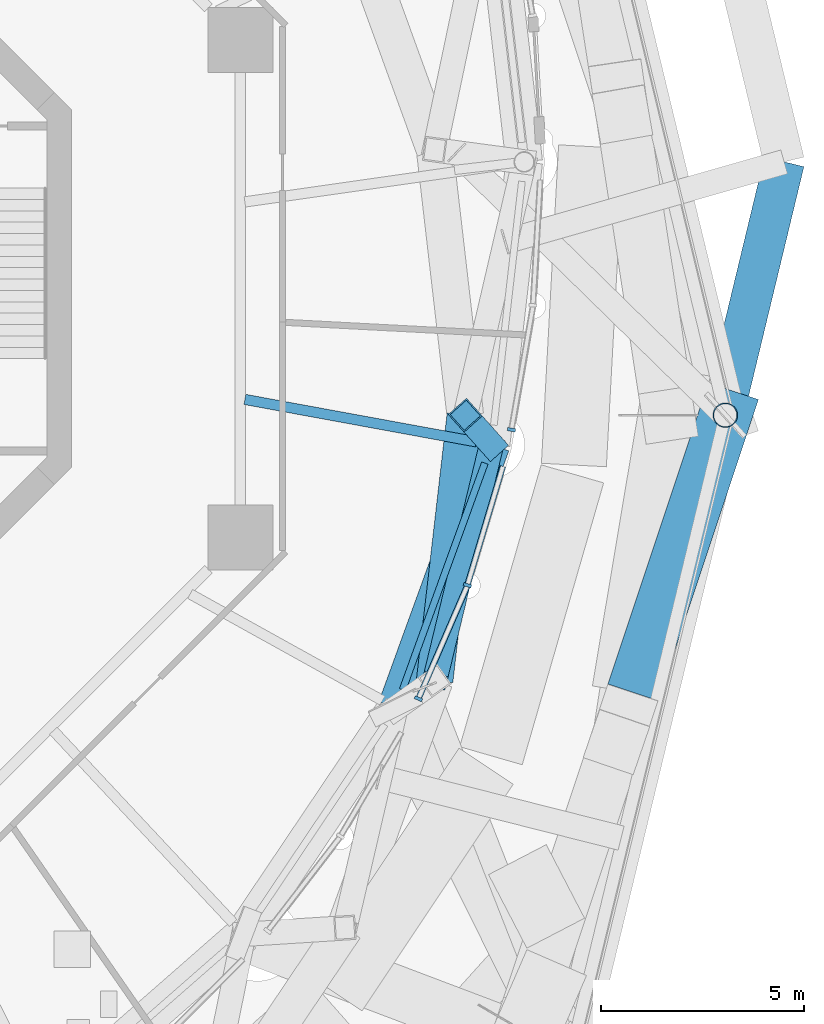
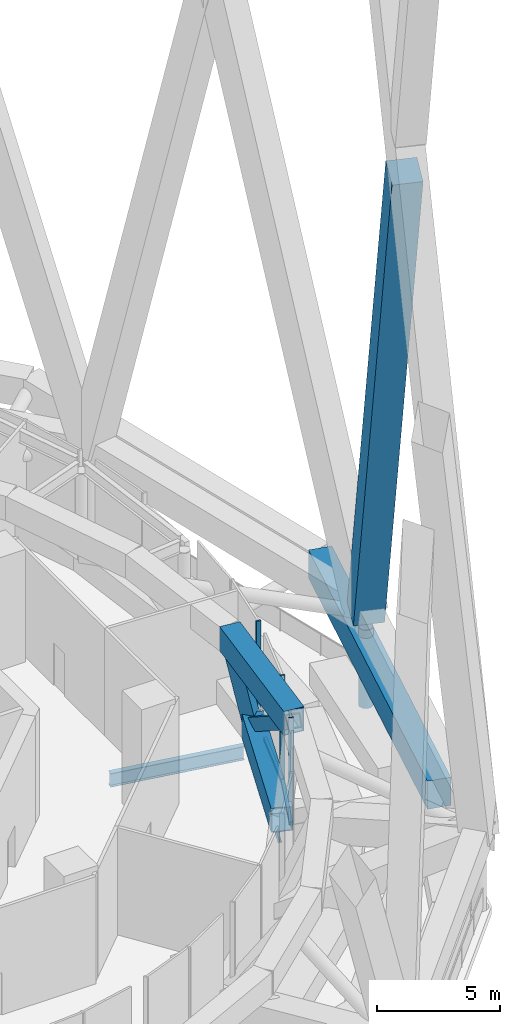
# One storey, part 13 of 48: 8 members, 6 beams, 3 elements without a shape of their own.
"""IFC4 building model written with IfcOpenShell, lengths in metres."""

from ifc_helpers import new_model, si_unit, direction, frame, origin, origin_2d, place, context, subcontext, project, spatial, rectangle, hollow_rectangle, hollow_circle, i_section, extrude, material, layer, layer_set, material_profile, profile_set, type_object, element, aggregate, save


model = new_model("IFC4")

# Units and contexts
model_context = context("Model", 3, precision=1e-05, world=origin(), true_north=direction((0.0, 1.0)))
body_context = subcontext(model_context, "Body", "Model", "MODEL_VIEW")
ifc_project = project(units=[si_unit("LENGTHUNIT", "METRE"), si_unit("AREAUNIT", "SQUARE_METRE"), si_unit("VOLUMEUNIT", "CUBIC_METRE"), si_unit("PLANEANGLEUNIT", "RADIAN"), si_unit("MASSUNIT", "GRAM", prefix="KILO")], contexts=[model_context])

# Site, building, storey
site_placement = place(None, origin())
site = spatial("IfcSite", under=ifc_project, at=site_placement, CompositionType="ELEMENT")
building_placement = place(site_placement, origin())
building = spatial("IfcBuilding", under=site, at=building_placement, Name="Nagisa Residences", CompositionType="ELEMENT")
storey_placement = place(building_placement, frame((0.0, 0.0, 252.89990234375)))
storey = spatial("IfcBuildingStorey", under=building, at=storey_placement, Name="L64", CompositionType="ELEMENT", Elevation=252.89990234375)

# Beams
ifc_material_1 = material(Name="Steel ASTM A572 Gr 50", Category="steel")
ifc_material_profile_1 = material_profile(ifc_material_1, hollow_rectangle(XDim=0.89990234375, YDim=1.199951171875, WallThickness=0.0400390625, at=origin_2d()), Name="BX 900x1200x40")
ifc_profile_set_1 = profile_set([ifc_material_profile_1], Name="Steel ASTM A572 Gr 50")
beam_type_1 = type_object("IfcBeamType", Name="Belt chord 5 BX 900x1200x40", PredefinedType="BEAM", material=ifc_profile_set_1)
beam_1_placement = place(storey_placement, frame((18.6123046875, -10.327392578125, 0.60009765625), z_axis=(0.341254340282, 0.93997099702, 0.0), x_axis=(-0.93997099702, 0.341254340282, 0.0)))
element("IfcBeam", 1, at=beam_1_placement, inside=storey, type_object=beam_type_1, Name="beam:L64:bt5b23", PredefinedType="BEAM", context=body_context, shape_type="SweptSolid", body=[
    extrude(hollow_rectangle(XDim=0.89990234375, YDim=1.199951171875, WallThickness=0.0400390625, at=origin_2d()), origin(), (0.0, 0.0, 1.0), 6.8994140625),
])
beam_2_placement = place(storey_placement, frame((19.566162109375, -9.650390625, 4.739990234375), z_axis=(0.114643836016, 0.993406659361, 0.0), x_axis=(-0.993406659361, 0.114643836016, 0.0)))
element("IfcBeam", 2, at=beam_2_placement, inside=storey, type_object=beam_type_1, Name="beam:L64:bt5t24", PredefinedType="BEAM", context=body_context, shape_type="SweptSolid", body=[
    extrude(hollow_rectangle(XDim=0.89990234375, YDim=1.199951171875, WallThickness=0.0400390625, at=origin_2d()), origin(), (0.0, 0.0, 1.0), 6.576171875),
])
ifc_material_2 = material(Name="Steel ASTM A572 Gr 50", Category="steel")
ifc_material_profile_2 = material_profile(ifc_material_2, hollow_rectangle(XDim=0.60009765625, YDim=0.60009765625, WallThickness=0.034912109375, at=origin_2d()), Name="BX 600x600x35")
ifc_profile_set_2 = profile_set([ifc_material_profile_2], Name="Steel ASTM A572 Gr 50")
beam_type_2 = type_object("IfcBeamType", Name="Belt diagonal 5 BX 600x600x35", PredefinedType="BEAM", material=ifc_profile_set_2)
beam_3_placement = place(storey_placement, frame((20.966796875, -3.842041015625, 0.60009765625), z_axis=(-0.192687759534, -0.799064752846, 0.569532218654), x_axis=(0.972134890735, -0.234422170911, 0.0)))
element("IfcBeam", 3, at=beam_3_placement, inside=storey, type_object=beam_type_2, Name="beam:L64:bt5da24", PredefinedType="BEAM", context=body_context, shape_type="SweptSolid", body=[
    extrude(hollow_rectangle(XDim=0.60009765625, YDim=0.60009765625, WallThickness=0.034912109375, at=origin_2d()), origin(), (0.0, 0.0, 1.0), 7.26904296875),
])
beam_4_placement = place(storey_placement, frame((20.966796875, -3.842041015625, 0.60009765625), z_axis=(-0.152090714787, 0.170348490288, 0.973575783559), x_axis=(-0.745951044154, -0.666000780574, 0.0)))
element("IfcBeam", 4, at=beam_4_placement, inside=storey, type_object=beam_type_2, Name="beam:L64:bt5db24", PredefinedType="BEAM", context=body_context, shape_type="SweptSolid", body=[
    extrude(hollow_rectangle(XDim=0.60009765625, YDim=0.60009765625, WallThickness=0.034912109375, at=origin_2d()), origin(), (0.0, 0.0, 1.0), 4.252197265625),
])

# Curtain wall, member
ifc_material_3 = material(Name="Aluminium curtain wall system", Category="aluminium")
ifc_layer = layer(ifc_material_3, 0.159912109375)
ifc_layer_set = layer_set([ifc_layer], Name="CW2 CURTAIN WALL")
curtain_wall_type = type_object("IfcCurtainWallType", Name="CW2 CURTAIN WALL", PredefinedType="NOTDEFINED", material=ifc_layer_set)
curtain_wall_1_placement = place(storey_placement, origin())
curtain_wall_1 = element("IfcCurtainWall", 5, at=curtain_wall_1_placement, inside=storey, type_object=curtain_wall_type, Name="cw:CW2:L64:44", PredefinedType="NOTDEFINED")
ifc_material_4 = material(Name="Aluminium", Category="aluminium")
ifc_material_profile_3 = material_profile(ifc_material_4, rectangle(XDim=0.199951171875, YDim=0.080078125, at=origin_2d()), Name="CW2 MULLION 200x80")
ifc_profile_set_3 = profile_set([ifc_material_profile_3], Name="Aluminium")
member_type_1 = type_object("IfcMemberType", Name="CW2 MULLION 200x80", PredefinedType="MULLION", material=ifc_profile_set_3)
member_1_placement = place(storey_placement, frame((19.166748046875, -10.095947265625, 0.0), z_axis=(0.0, 0.0, 1.0), x_axis=(-0.917543276295, 0.397635934147, 0.0)))
member_1 = element("IfcMember", 6, at=member_1_placement, type_object=member_type_1, Name="CW2 mullion", PredefinedType="MULLION", context=body_context, shape_type="SweptSolid", body=[
    extrude(rectangle(XDim=0.199951171875, YDim=0.080078125, at=origin_2d()), origin(), (0.0, 0.0, 1.0), 5.340087890625),
])

curtain_wall_2_placement = place(storey_placement, origin())
curtain_wall_2 = element("IfcCurtainWall", 7, at=curtain_wall_2_placement, inside=storey, type_object=curtain_wall_type, Name="cw:CW2:L64:45", PredefinedType="NOTDEFINED")
member_2_placement = place(storey_placement, frame((20.37255859375, -7.302734375, 0.0), z_axis=(0.0, 0.0, 1.0), x_axis=(-0.958271310082, 0.285860274038, 0.0)))
member_2 = element("IfcMember", 8, at=member_2_placement, type_object=member_type_1, Name="CW2 mullion", PredefinedType="MULLION", context=body_context, shape_type="SweptSolid", body=[
    extrude(rectangle(XDim=0.199951171875, YDim=0.080078125, at=origin_2d()), origin(), (0.0, 0.0, 1.0), 5.340087890625),
])

curtain_wall_3_placement = place(storey_placement, origin())
curtain_wall_3 = element("IfcCurtainWall", 9, at=curtain_wall_3_placement, inside=storey, type_object=curtain_wall_type, Name="cw:CW2:L64:46", PredefinedType="NOTDEFINED")
member_3_placement = place(storey_placement, frame((21.455322265625, -3.474853515625, 0.0), z_axis=(0.0, 0.0, 1.0), x_axis=(-0.985063604377, 0.172190868898, 0.0)))
member_3 = element("IfcMember", 10, at=member_3_placement, type_object=member_type_1, Name="CW2 mullion", PredefinedType="MULLION", context=body_context, shape_type="SweptSolid", body=[
    extrude(rectangle(XDim=0.199951171875, YDim=0.080078125, at=origin_2d()), origin(), (0.0, 0.0, 1.0), 5.340087890625),
])
aggregate(curtain_wall_3, [member_3])

# Member
ifc_material_5 = material(Name="Aluminium", Category="aluminium")
ifc_material_profile_4 = material_profile(ifc_material_5, rectangle(XDim=0.139892578125, YDim=0.179931640625, at=origin_2d()), Name="CW2 TRANSOM 140x180")
ifc_profile_set_4 = profile_set([ifc_material_profile_4], Name="Aluminium")
member_type_2 = type_object("IfcMemberType", Name="CW2 TRANSOM 140x180", PredefinedType="USERDEFINED", material=ifc_profile_set_4)
member_4_placement = place(storey_placement, frame((19.15087890625, -10.132568359375, 0.090087890625), z_axis=(0.397584987474, 0.917565353386, 0.0), x_axis=(-0.917565353386, 0.397584987474, 0.0)))
member_4 = element("IfcMember", 11, at=member_4_placement, type_object=member_type_2, Name="CW2 transom", ObjectType="TRANSOM", PredefinedType="USERDEFINED", context=body_context, shape_type="SweptSolid", body=[
    extrude(rectangle(XDim=0.139892578125, YDim=0.179931640625, at=origin_2d()), origin(), (0.0, 0.0, 1.0), 3.0517578125),
])

aggregate(curtain_wall_1, [member_1, member_4])

member_5_placement = place(storey_placement, frame((20.361083984375, -7.341064453125, 0.090087890625), z_axis=(0.285898030292, 0.958260046269, 0.0), x_axis=(-0.958260046269, 0.285898030292, 0.0)))
member_5 = element("IfcMember", 12, at=member_5_placement, type_object=member_type_2, Name="CW2 transom", ObjectType="TRANSOM", PredefinedType="USERDEFINED", context=body_context, shape_type="SweptSolid", body=[
    extrude(rectangle(XDim=0.139892578125, YDim=0.179931640625, at=origin_2d()), origin(), (0.0, 0.0, 1.0), 3.09033203125),
])

aggregate(curtain_wall_2, [member_2, member_5])

# Members
ifc_material_6 = material(Name="Concrete C80", Category="concrete")
ifc_material_profile_5 = material_profile(ifc_material_6, rectangle(XDim=1.300048828125, YDim=1.300048828125, at=origin_2d()), Name="C80 1300x1300")
ifc_profile_set_5 = profile_set([ifc_material_profile_5], Name="Concrete C80")
member_type_3 = type_object("IfcMemberType", Name="Cage diagonal 6 C80 1300x1300", PredefinedType="BRACE", material=ifc_profile_set_5)
member_6_placement = place(storey_placement, frame((26.719970703125, -3.11767578125, 3.7001953125), z_axis=(-0.087023576186, -0.261414967389, 0.96129553833), x_axis=(0.948808165822, -0.315852915881, 0.0)))
element("IfcMember", 13, at=member_6_placement, inside=storey, type_object=member_type_3, Name="mem:L64:cg6d024a", PredefinedType="BRACE", context=body_context, shape_type="SweptSolid", body=[
    extrude(rectangle(XDim=1.300048828125, YDim=1.300048828125, at=origin_2d()), origin(), (0.0, 0.0, 1.0), 28.36865234375),
])
ifc_material_7 = material(Name="Concrete C80", Category="concrete")
ifc_material_profile_6 = material_profile(ifc_material_7, rectangle(XDim=1.0, YDim=1.39990234375, at=origin_2d()), Name="C80 1000x1400")
ifc_profile_set_6 = profile_set([ifc_material_profile_6], Name="Concrete C80")
member_type_4 = type_object("IfcMemberType", Name="Cage ring 5 C80 1000x1400", PredefinedType="CHORD", material=ifc_profile_set_6)
member_7_placement = place(storey_placement, frame((24.15478515625, -13.52734375, 1.900146484375), z_axis=(0.234495574244, 0.972117187205, 0.0), x_axis=(-0.972117187205, 0.234495574244, 0.0)))
element("IfcMember", 14, at=member_7_placement, inside=storey, type_object=member_type_4, Name="beam:L64:cg5r112", PredefinedType="CHORD", context=body_context, shape_type="SweptSolid", body=[
    extrude(rectangle(XDim=1.0, YDim=1.39990234375, at=origin_2d()), origin(), (0.0, 0.0, 1.0), 17.12255859375),
])
ifc_material_8 = material(Name="Steel ASTM A572 Gr 65", Category="steel")
ifc_material_profile_7 = material_profile(ifc_material_8, hollow_circle(Radius=0.304931640625, WallThickness=0.02490234375, at=origin_2d()), Name="CHS 610x25")
ifc_profile_set_7 = profile_set([ifc_material_profile_7], Name="Steel ASTM A572 Gr 65")
member_type_5 = type_object("IfcMemberType", Name="Deck hanger CHS 610x25", PredefinedType="POST", material=ifc_profile_set_7)
member_8_placement = place(storey_placement, frame((26.719970703125, -3.11767578125, 3.0), z_axis=(0.0, 0.0, -1.0), x_axis=(1.0, 0.0, 0.0)))
element("IfcMember", 15, at=member_8_placement, inside=storey, type_object=member_type_5, Name="mem:L64:deckhanger01", PredefinedType="POST", context=body_context, shape_type="SweptSolid", body=[
    extrude(hollow_circle(Radius=0.304931640625, WallThickness=0.02490234375, at=origin_2d()), origin(), (0.0, 0.0, 1.0), 3.889892578125),
])

# Beams
ifc_material_9 = material(Name="Steel ASTM A572 Gr 50", Category="steel")
ifc_material_profile_8 = material_profile(ifc_material_9, i_section(OverallWidth=0.166015625, OverallDepth=0.534912109375, WebThickness=0.01025390625, FlangeThickness=0.0166015625, at=origin_2d()), Name="W530x85")
ifc_profile_set_8 = profile_set([ifc_material_profile_8], Name="Steel ASTM A572 Gr 50")
beam_type_3 = type_object("IfcBeamType", Name="Perimeter ring beam W530x85", PredefinedType="BEAM", material=ifc_profile_set_8)
beam_5_placement = place(storey_placement, frame((18.77734375, -9.87255859375, -0.617431640625), z_axis=(0.341290329164, 0.939957930558, 0.0), x_axis=(-0.939957930558, 0.341290329164, 0.0)))
element("IfcBeam", 16, at=beam_5_placement, inside=storey, type_object=beam_type_3, Name="beam:L64:pb23", PredefinedType="BEAM", context=body_context, shape_type="SweptSolid", body=[
    extrude(i_section(OverallWidth=0.166015625, OverallDepth=0.534912109375, WebThickness=0.01025390625, FlangeThickness=0.0166015625, at=origin_2d()), origin(), (0.0, 0.0, 1.0), 5.932373046875),
])
ifc_material_10 = material(Name="Steel ASTM A572 Gr 50", Category="steel")
ifc_material_profile_9 = material_profile(ifc_material_10, i_section(OverallWidth=0.2529296875, OverallDepth=0.677978515625, WebThickness=0.01171875, FlangeThickness=0.016357421875, at=origin_2d()), Name="W690x125")
ifc_profile_set_9 = profile_set([ifc_material_profile_9], Name="Steel ASTM A572 Gr 50")
beam_type_4 = type_object("IfcBeamType", Name="Radial beam W690x125", PredefinedType="BEAM", material=ifc_profile_set_9)
beam_6_placement = place(storey_placement, frame((20.592529296875, -3.7734375, -0.68896484375), z_axis=(-0.983617395704, 0.180268740688, 0.0), x_axis=(-0.180268740688, -0.983617395704, 0.0)))
element("IfcBeam", 17, at=beam_6_placement, inside=storey, type_object=beam_type_4, Name="beam:L64:rb24", PredefinedType="BEAM", context=body_context, shape_type="SweptSolid", body=[
    extrude(i_section(OverallWidth=0.2529296875, OverallDepth=0.677978515625, WebThickness=0.01171875, FlangeThickness=0.016357421875, at=origin_2d()), origin(), (0.0, 0.0, 1.0), 5.79248046875),
])

save(model, "model.ifc")
